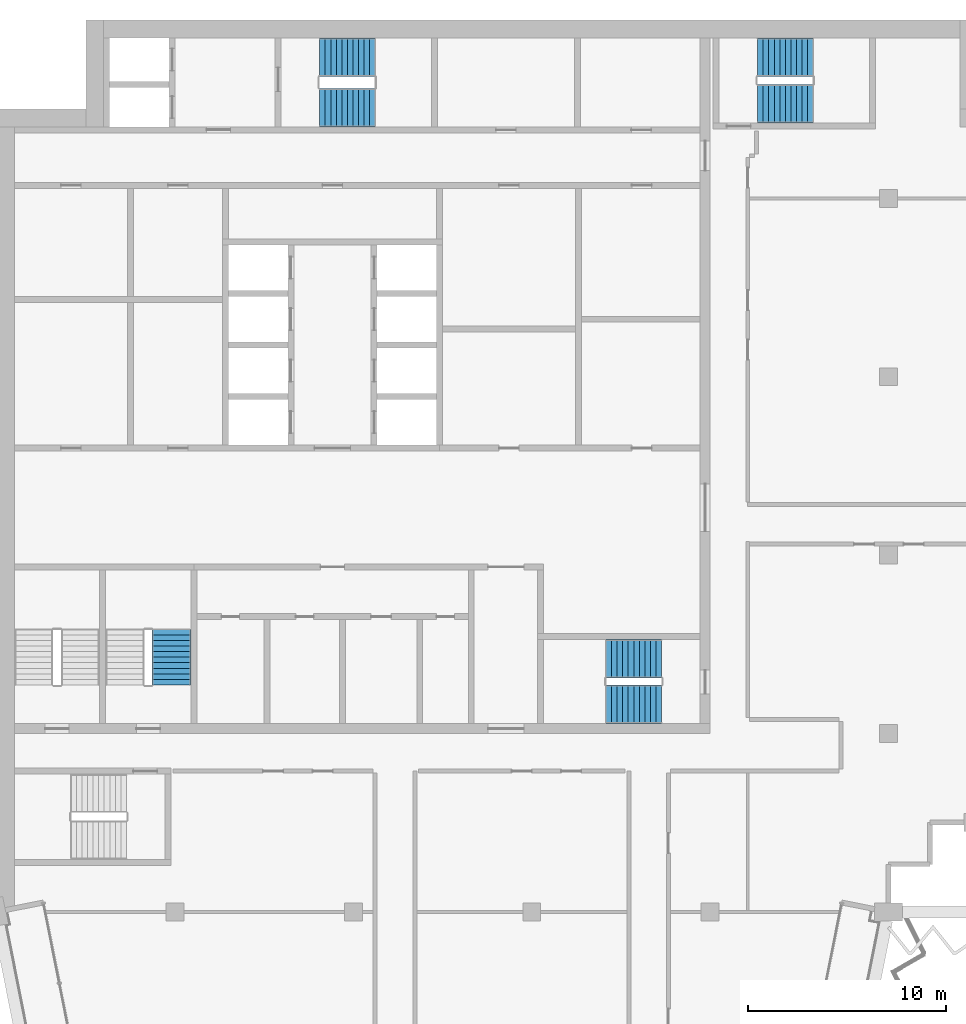
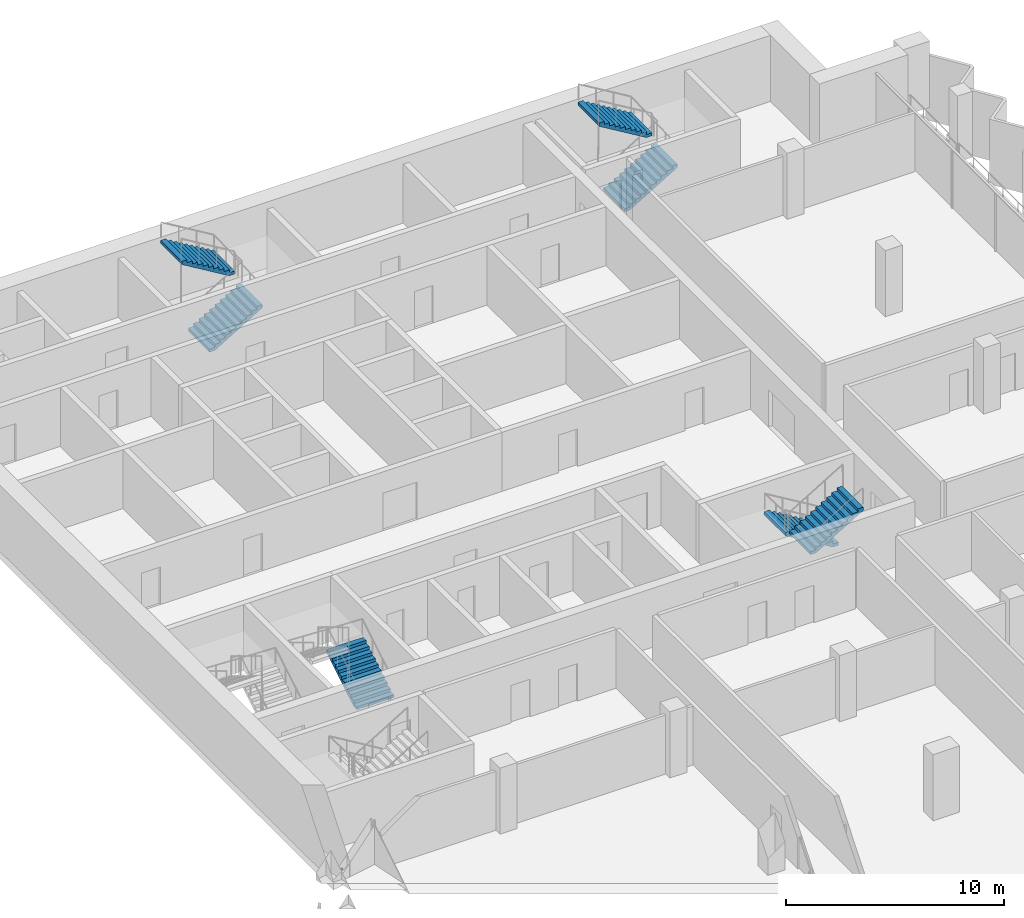
# One storey, part 11 of 14: 7 stair flights, 4 elements without a shape of their own.
"""IFC4 building model written with IfcOpenShell, lengths in metres."""

from ifc_helpers import new_model, si_unit, direction, frame, origin, place, context, subcontext, project, spatial, polyline, outline, extrude, material, type_object, element, aggregate, save


model = new_model("IFC4")

# Units and contexts
model_context = context("Model", 3, precision=1e-05, world=origin(), true_north=direction((0.0, 1.0)))
body_context = subcontext(model_context, "Body", "Model", "MODEL_VIEW")
ifc_project = project(units=[si_unit("LENGTHUNIT", "METRE"), si_unit("AREAUNIT", "SQUARE_METRE"), si_unit("VOLUMEUNIT", "CUBIC_METRE"), si_unit("PLANEANGLEUNIT", "RADIAN"), si_unit("MASSUNIT", "GRAM", prefix="KILO")], contexts=[model_context])

# Site, building, storey
site_placement = place(None, origin())
site = spatial("IfcSite", under=ifc_project, at=site_placement, CompositionType="ELEMENT")
building_placement = place(site_placement, origin())
building = spatial("IfcBuilding", under=site, at=building_placement, Name="Hunhe Ridgeline Campus", CompositionType="ELEMENT")
storey_placement = place(building_placement, frame((0.0, 0.0, 295.60009765625)))
storey = spatial("IfcBuildingStorey", under=building, at=storey_placement, Name="L76", CompositionType="ELEMENT", Elevation=295.60009765625)

# Stair, stair flights
ifc_material = material(Name="Concrete C40", Category="concrete")
stair_type = type_object("IfcStairType", Name="Reinforced concrete dog-leg stair 1950 Concrete C40", PredefinedType="HALF_TURN_STAIR", material=ifc_material)
stair_1_placement = place(storey_placement, origin())
stair_1 = element("IfcStair", 1, at=stair_1_placement, inside=storey, type_object=stair_type, Name="L76 S1", PredefinedType="HALF_TURN_STAIR")
stair_flight_type = type_object("IfcStairFlightType", Name="Reinforced concrete stair flight 1950 Concrete C40", PredefinedType="STRAIGHT", material=ifc_material)
stair_flight_1_placement = place(storey_placement, frame((16.300048828125, 94.574951171875, 0.0), z_axis=(0.0, 0.0, 1.0), x_axis=(1.0, 0.0, 0.0)))
stair_flight_1 = element("IfcStairFlight", 2, at=stair_flight_1_placement, type_object=stair_flight_type, Name="ST1 flight 1", NumberOfRisers=11, NumberOfTreads=10, PredefinedType="STRAIGHT", RiserHeight=0.168181818, TreadLength=0.28, context=body_context, shape_type="SweptSolid", body=[
    extrude(outline(polyline([(0.0, 0.0), (0.0, 0.168212890625), (0.280029296875, 0.168212890625), (0.280029296875, 0.33642578125), (0.56005859375, 0.33642578125), (0.56005859375, 0.504638671875), (0.840087890625, 0.504638671875), (0.840087890625, 0.672607421875), (1.1201171875, 0.672607421875), (1.1201171875, 0.8408203125), (1.39990234375, 0.8408203125), (1.39990234375, 1.009033203125), (1.679931640625, 1.009033203125), (1.679931640625, 1.17724609375), (1.9599609375, 1.17724609375), (1.9599609375, 1.345458984375), (2.239990234375, 1.345458984375), (2.239990234375, 1.513671875), (2.52001953125, 1.513671875), (2.52001953125, 1.681884765625), (2.800048828125, 1.681884765625), (2.800048828125, 1.85009765625), (2.800048828125, 1.5068359375), (0.291015625, 0.0), (0.0, 0.0)])), frame((0.0, 0.97509765625, 0.0), z_axis=(0.0, -1.0, 0.0), x_axis=(1.0, 0.0, 0.0)), (0.0, 0.0, 1.0), 1.949951171875),
    extrude(outline(polyline([(0.030029296875, 0.030029296875), (0.030029296875, 0.13818359375), (0.31005859375, 0.13818359375), (0.31005859375, 0.306396484375), (0.590087890625, 0.306396484375), (0.590087890625, 0.474609375), (0.8701171875, 0.474609375), (0.8701171875, 0.642578125), (1.14990234375, 0.642578125), (1.14990234375, 0.810791015625), (1.429931640625, 0.810791015625), (1.429931640625, 0.97900390625), (1.7099609375, 0.97900390625), (1.7099609375, 1.147216796875), (1.989990234375, 1.147216796875), (1.989990234375, 1.3154296875), (2.27001953125, 1.3154296875), (2.27001953125, 1.483642578125), (2.550048828125, 1.483642578125), (2.550048828125, 1.65185546875), (2.77001953125, 1.65185546875), (2.77001953125, 1.52392578125), (0.28271484375, 0.030029296875), (0.030029296875, 0.030029296875)])), frame((0.0, -0.070068359375, 0.0), z_axis=(0.0, -1.0, 0.0), x_axis=(1.0, 0.0, 0.0)), (0.0, 0.0, 1.0), 0.019775390625),
    extrude(outline(polyline([(0.030029296875, 0.030029296875), (0.030029296875, 0.13818359375), (0.31005859375, 0.13818359375), (0.31005859375, 0.306396484375), (0.590087890625, 0.306396484375), (0.590087890625, 0.474609375), (0.8701171875, 0.474609375), (0.8701171875, 0.642578125), (1.14990234375, 0.642578125), (1.14990234375, 0.810791015625), (1.429931640625, 0.810791015625), (1.429931640625, 0.97900390625), (1.7099609375, 0.97900390625), (1.7099609375, 1.147216796875), (1.989990234375, 1.147216796875), (1.989990234375, 1.3154296875), (2.27001953125, 1.3154296875), (2.27001953125, 1.483642578125), (2.550048828125, 1.483642578125), (2.550048828125, 1.65185546875), (2.77001953125, 1.65185546875), (2.77001953125, 1.52392578125), (0.28271484375, 0.030029296875), (0.030029296875, 0.030029296875)])), frame((0.0, 0.010009765625, 0.0), z_axis=(0.0, -1.0, 0.0), x_axis=(1.0, 0.0, 0.0)), (0.0, 0.0, 1.0), 0.019775390625),
    extrude(outline(polyline([(0.030029296875, 0.030029296875), (0.030029296875, 0.13818359375), (0.31005859375, 0.13818359375), (0.31005859375, 0.306396484375), (0.590087890625, 0.306396484375), (0.590087890625, 0.474609375), (0.8701171875, 0.474609375), (0.8701171875, 0.642578125), (1.14990234375, 0.642578125), (1.14990234375, 0.810791015625), (1.429931640625, 0.810791015625), (1.429931640625, 0.97900390625), (1.7099609375, 0.97900390625), (1.7099609375, 1.147216796875), (1.989990234375, 1.147216796875), (1.989990234375, 1.3154296875), (2.27001953125, 1.3154296875), (2.27001953125, 1.483642578125), (2.550048828125, 1.483642578125), (2.550048828125, 1.65185546875), (2.77001953125, 1.65185546875), (2.77001953125, 1.52392578125), (0.28271484375, 0.030029296875), (0.030029296875, 0.030029296875)])), frame((0.0, 0.090087890625, 0.0), z_axis=(0.0, -1.0, 0.0), x_axis=(1.0, 0.0, 0.0)), (0.0, 0.0, 1.0), 0.019775390625),
])
stair_flight_2_placement = place(storey_placement, frame((19.10009765625, 97.125, 1.849853515625), z_axis=(0.0, 0.0, 1.0), x_axis=(-1.0, 0.0, 0.0)))
stair_flight_2 = element("IfcStairFlight", 3, at=stair_flight_2_placement, type_object=stair_flight_type, Name="ST1 flight 2", NumberOfRisers=11, NumberOfTreads=10, PredefinedType="STRAIGHT", RiserHeight=0.168181818, TreadLength=0.28, context=body_context, shape_type="SweptSolid", body=[
    extrude(outline(polyline([(0.0, 0.0), (0.0, 0.168212890625), (0.280029296875, 0.168212890625), (0.280029296875, 0.33642578125), (0.56005859375, 0.33642578125), (0.56005859375, 0.504638671875), (0.840087890625, 0.504638671875), (0.840087890625, 0.672607421875), (1.1201171875, 0.672607421875), (1.1201171875, 0.8408203125), (1.39990234375, 0.8408203125), (1.39990234375, 1.009033203125), (1.679931640625, 1.009033203125), (1.679931640625, 1.17724609375), (1.9599609375, 1.17724609375), (1.9599609375, 1.345458984375), (2.239990234375, 1.345458984375), (2.239990234375, 1.513671875), (2.52001953125, 1.513671875), (2.52001953125, 1.681884765625), (2.800048828125, 1.681884765625), (2.800048828125, 1.85009765625), (2.800048828125, 1.5068359375), (0.291015625, 0.0), (0.0, 0.0)])), frame((0.0, 0.97509765625, 0.0), z_axis=(0.0, -1.0, 0.0), x_axis=(1.0, 0.0, 0.0)), (0.0, 0.0, 1.0), 1.949951171875),
    extrude(outline(polyline([(0.030029296875, 0.030029296875), (0.030029296875, 0.13818359375), (0.31005859375, 0.13818359375), (0.31005859375, 0.306396484375), (0.590087890625, 0.306396484375), (0.590087890625, 0.474609375), (0.8701171875, 0.474609375), (0.8701171875, 0.642578125), (1.14990234375, 0.642578125), (1.14990234375, 0.810791015625), (1.429931640625, 0.810791015625), (1.429931640625, 0.97900390625), (1.7099609375, 0.97900390625), (1.7099609375, 1.147216796875), (1.989990234375, 1.147216796875), (1.989990234375, 1.3154296875), (2.27001953125, 1.3154296875), (2.27001953125, 1.483642578125), (2.550048828125, 1.483642578125), (2.550048828125, 1.65185546875), (2.77001953125, 1.65185546875), (2.77001953125, 1.52392578125), (0.28271484375, 0.030029296875), (0.030029296875, 0.030029296875)])), frame((0.0, -0.070068359375, 0.0), z_axis=(0.0, -1.0, 0.0), x_axis=(1.0, 0.0, 0.0)), (0.0, 0.0, 1.0), 0.019775390625),
    extrude(outline(polyline([(0.030029296875, 0.030029296875), (0.030029296875, 0.13818359375), (0.31005859375, 0.13818359375), (0.31005859375, 0.306396484375), (0.590087890625, 0.306396484375), (0.590087890625, 0.474609375), (0.8701171875, 0.474609375), (0.8701171875, 0.642578125), (1.14990234375, 0.642578125), (1.14990234375, 0.810791015625), (1.429931640625, 0.810791015625), (1.429931640625, 0.97900390625), (1.7099609375, 0.97900390625), (1.7099609375, 1.147216796875), (1.989990234375, 1.147216796875), (1.989990234375, 1.3154296875), (2.27001953125, 1.3154296875), (2.27001953125, 1.483642578125), (2.550048828125, 1.483642578125), (2.550048828125, 1.65185546875), (2.77001953125, 1.65185546875), (2.77001953125, 1.52392578125), (0.28271484375, 0.030029296875), (0.030029296875, 0.030029296875)])), frame((0.0, 0.010009765625, 0.0), z_axis=(0.0, -1.0, 0.0), x_axis=(1.0, 0.0, 0.0)), (0.0, 0.0, 1.0), 0.019775390625),
    extrude(outline(polyline([(0.030029296875, 0.030029296875), (0.030029296875, 0.13818359375), (0.31005859375, 0.13818359375), (0.31005859375, 0.306396484375), (0.590087890625, 0.306396484375), (0.590087890625, 0.474609375), (0.8701171875, 0.474609375), (0.8701171875, 0.642578125), (1.14990234375, 0.642578125), (1.14990234375, 0.810791015625), (1.429931640625, 0.810791015625), (1.429931640625, 0.97900390625), (1.7099609375, 0.97900390625), (1.7099609375, 1.147216796875), (1.989990234375, 1.147216796875), (1.989990234375, 1.3154296875), (2.27001953125, 1.3154296875), (2.27001953125, 1.483642578125), (2.550048828125, 1.483642578125), (2.550048828125, 1.65185546875), (2.77001953125, 1.65185546875), (2.77001953125, 1.52392578125), (0.28271484375, 0.030029296875), (0.030029296875, 0.030029296875)])), frame((0.0, 0.090087890625, 0.0), z_axis=(0.0, -1.0, 0.0), x_axis=(1.0, 0.0, 0.0)), (0.0, 0.0, 1.0), 0.019775390625),
])
aggregate(stair_1, [stair_flight_1, stair_flight_2])

stair_2_placement = place(storey_placement, origin())
stair_2 = element("IfcStair", 4, at=stair_2_placement, inside=storey, type_object=stair_type, Name="L76 S2", PredefinedType="HALF_TURN_STAIR")
stair_flight_3_placement = place(storey_placement, frame((33.550048828125, 66.77490234375, 0.0), z_axis=(0.0, 0.0, 1.0), x_axis=(-1.0, 0.0, 0.0)))
stair_flight_3 = element("IfcStairFlight", 5, at=stair_flight_3_placement, type_object=stair_flight_type, Name="ST2 flight 1", NumberOfRisers=11, NumberOfTreads=10, PredefinedType="STRAIGHT", RiserHeight=0.168181818, TreadLength=0.28, context=body_context, shape_type="SweptSolid", body=[
    extrude(outline(polyline([(0.0, 0.0), (0.0, 0.168212890625), (0.280029296875, 0.168212890625), (0.280029296875, 0.33642578125), (0.56005859375, 0.33642578125), (0.56005859375, 0.504638671875), (0.840087890625, 0.504638671875), (0.840087890625, 0.672607421875), (1.1201171875, 0.672607421875), (1.1201171875, 0.8408203125), (1.39990234375, 0.8408203125), (1.39990234375, 1.009033203125), (1.679931640625, 1.009033203125), (1.679931640625, 1.17724609375), (1.9599609375, 1.17724609375), (1.9599609375, 1.345458984375), (2.239990234375, 1.345458984375), (2.239990234375, 1.513671875), (2.52001953125, 1.513671875), (2.52001953125, 1.681884765625), (2.800048828125, 1.681884765625), (2.800048828125, 1.85009765625), (2.800048828125, 1.5068359375), (0.291015625, 0.0), (0.0, 0.0)])), frame((0.0, 0.97509765625, 0.0), z_axis=(0.0, -1.0, 0.0), x_axis=(1.0, 0.0, 0.0)), (0.0, 0.0, 1.0), 1.949951171875),
    extrude(outline(polyline([(0.030029296875, 0.030029296875), (0.030029296875, 0.13818359375), (0.31005859375, 0.13818359375), (0.31005859375, 0.306396484375), (0.590087890625, 0.306396484375), (0.590087890625, 0.474609375), (0.8701171875, 0.474609375), (0.8701171875, 0.642578125), (1.14990234375, 0.642578125), (1.14990234375, 0.810791015625), (1.429931640625, 0.810791015625), (1.429931640625, 0.97900390625), (1.7099609375, 0.97900390625), (1.7099609375, 1.147216796875), (1.989990234375, 1.147216796875), (1.989990234375, 1.3154296875), (2.27001953125, 1.3154296875), (2.27001953125, 1.483642578125), (2.550048828125, 1.483642578125), (2.550048828125, 1.65185546875), (2.77001953125, 1.65185546875), (2.77001953125, 1.52392578125), (0.28271484375, 0.030029296875), (0.030029296875, 0.030029296875)])), frame((0.0, -0.070068359375, 0.0), z_axis=(0.0, -1.0, 0.0), x_axis=(1.0, 0.0, 0.0)), (0.0, 0.0, 1.0), 0.019775390625),
    extrude(outline(polyline([(0.030029296875, 0.030029296875), (0.030029296875, 0.13818359375), (0.31005859375, 0.13818359375), (0.31005859375, 0.306396484375), (0.590087890625, 0.306396484375), (0.590087890625, 0.474609375), (0.8701171875, 0.474609375), (0.8701171875, 0.642578125), (1.14990234375, 0.642578125), (1.14990234375, 0.810791015625), (1.429931640625, 0.810791015625), (1.429931640625, 0.97900390625), (1.7099609375, 0.97900390625), (1.7099609375, 1.147216796875), (1.989990234375, 1.147216796875), (1.989990234375, 1.3154296875), (2.27001953125, 1.3154296875), (2.27001953125, 1.483642578125), (2.550048828125, 1.483642578125), (2.550048828125, 1.65185546875), (2.77001953125, 1.65185546875), (2.77001953125, 1.52392578125), (0.28271484375, 0.030029296875), (0.030029296875, 0.030029296875)])), frame((0.0, 0.010009765625, 0.0), z_axis=(0.0, -1.0, 0.0), x_axis=(1.0, 0.0, 0.0)), (0.0, 0.0, 1.0), 0.019775390625),
    extrude(outline(polyline([(0.030029296875, 0.030029296875), (0.030029296875, 0.13818359375), (0.31005859375, 0.13818359375), (0.31005859375, 0.306396484375), (0.590087890625, 0.306396484375), (0.590087890625, 0.474609375), (0.8701171875, 0.474609375), (0.8701171875, 0.642578125), (1.14990234375, 0.642578125), (1.14990234375, 0.810791015625), (1.429931640625, 0.810791015625), (1.429931640625, 0.97900390625), (1.7099609375, 0.97900390625), (1.7099609375, 1.147216796875), (1.989990234375, 1.147216796875), (1.989990234375, 1.3154296875), (2.27001953125, 1.3154296875), (2.27001953125, 1.483642578125), (2.550048828125, 1.483642578125), (2.550048828125, 1.65185546875), (2.77001953125, 1.65185546875), (2.77001953125, 1.52392578125), (0.28271484375, 0.030029296875), (0.030029296875, 0.030029296875)])), frame((0.0, 0.090087890625, 0.0), z_axis=(0.0, -1.0, 0.0), x_axis=(1.0, 0.0, 0.0)), (0.0, 0.0, 1.0), 0.019775390625),
])
stair_flight_4_placement = place(storey_placement, frame((30.75, 64.47509765625, 1.849853515625), z_axis=(0.0, 0.0, 1.0), x_axis=(1.0, 0.0, 0.0)))
stair_flight_4 = element("IfcStairFlight", 6, at=stair_flight_4_placement, type_object=stair_flight_type, Name="ST2 flight 2", NumberOfRisers=11, NumberOfTreads=10, PredefinedType="STRAIGHT", RiserHeight=0.168181818, TreadLength=0.28, context=body_context, shape_type="SweptSolid", body=[
    extrude(outline(polyline([(0.0, 0.0), (0.0, 0.168212890625), (0.280029296875, 0.168212890625), (0.280029296875, 0.33642578125), (0.56005859375, 0.33642578125), (0.56005859375, 0.504638671875), (0.840087890625, 0.504638671875), (0.840087890625, 0.672607421875), (1.1201171875, 0.672607421875), (1.1201171875, 0.8408203125), (1.39990234375, 0.8408203125), (1.39990234375, 1.009033203125), (1.679931640625, 1.009033203125), (1.679931640625, 1.17724609375), (1.9599609375, 1.17724609375), (1.9599609375, 1.345458984375), (2.239990234375, 1.345458984375), (2.239990234375, 1.513671875), (2.52001953125, 1.513671875), (2.52001953125, 1.681884765625), (2.800048828125, 1.681884765625), (2.800048828125, 1.85009765625), (2.800048828125, 1.5068359375), (0.291015625, 0.0), (0.0, 0.0)])), frame((0.0, 0.97509765625, 0.0), z_axis=(0.0, -1.0, 0.0), x_axis=(1.0, 0.0, 0.0)), (0.0, 0.0, 1.0), 1.949951171875),
    extrude(outline(polyline([(0.030029296875, 0.030029296875), (0.030029296875, 0.13818359375), (0.31005859375, 0.13818359375), (0.31005859375, 0.306396484375), (0.590087890625, 0.306396484375), (0.590087890625, 0.474609375), (0.8701171875, 0.474609375), (0.8701171875, 0.642578125), (1.14990234375, 0.642578125), (1.14990234375, 0.810791015625), (1.429931640625, 0.810791015625), (1.429931640625, 0.97900390625), (1.7099609375, 0.97900390625), (1.7099609375, 1.147216796875), (1.989990234375, 1.147216796875), (1.989990234375, 1.3154296875), (2.27001953125, 1.3154296875), (2.27001953125, 1.483642578125), (2.550048828125, 1.483642578125), (2.550048828125, 1.65185546875), (2.77001953125, 1.65185546875), (2.77001953125, 1.52392578125), (0.28271484375, 0.030029296875), (0.030029296875, 0.030029296875)])), frame((0.0, -0.070068359375, 0.0), z_axis=(0.0, -1.0, 0.0), x_axis=(1.0, 0.0, 0.0)), (0.0, 0.0, 1.0), 0.019775390625),
    extrude(outline(polyline([(0.030029296875, 0.030029296875), (0.030029296875, 0.13818359375), (0.31005859375, 0.13818359375), (0.31005859375, 0.306396484375), (0.590087890625, 0.306396484375), (0.590087890625, 0.474609375), (0.8701171875, 0.474609375), (0.8701171875, 0.642578125), (1.14990234375, 0.642578125), (1.14990234375, 0.810791015625), (1.429931640625, 0.810791015625), (1.429931640625, 0.97900390625), (1.7099609375, 0.97900390625), (1.7099609375, 1.147216796875), (1.989990234375, 1.147216796875), (1.989990234375, 1.3154296875), (2.27001953125, 1.3154296875), (2.27001953125, 1.483642578125), (2.550048828125, 1.483642578125), (2.550048828125, 1.65185546875), (2.77001953125, 1.65185546875), (2.77001953125, 1.52392578125), (0.28271484375, 0.030029296875), (0.030029296875, 0.030029296875)])), frame((0.0, 0.010009765625, 0.0), z_axis=(0.0, -1.0, 0.0), x_axis=(1.0, 0.0, 0.0)), (0.0, 0.0, 1.0), 0.019775390625),
    extrude(outline(polyline([(0.030029296875, 0.030029296875), (0.030029296875, 0.13818359375), (0.31005859375, 0.13818359375), (0.31005859375, 0.306396484375), (0.590087890625, 0.306396484375), (0.590087890625, 0.474609375), (0.8701171875, 0.474609375), (0.8701171875, 0.642578125), (1.14990234375, 0.642578125), (1.14990234375, 0.810791015625), (1.429931640625, 0.810791015625), (1.429931640625, 0.97900390625), (1.7099609375, 0.97900390625), (1.7099609375, 1.147216796875), (1.989990234375, 1.147216796875), (1.989990234375, 1.3154296875), (2.27001953125, 1.3154296875), (2.27001953125, 1.483642578125), (2.550048828125, 1.483642578125), (2.550048828125, 1.65185546875), (2.77001953125, 1.65185546875), (2.77001953125, 1.52392578125), (0.28271484375, 0.030029296875), (0.030029296875, 0.030029296875)])), frame((0.0, 0.090087890625, 0.0), z_axis=(0.0, -1.0, 0.0), x_axis=(1.0, 0.0, 0.0)), (0.0, 0.0, 1.0), 0.019775390625),
])
aggregate(stair_2, [stair_flight_3, stair_flight_4])

# Stair, stair flight
stair_3_placement = place(storey_placement, origin())
stair_3 = element("IfcStair", 7, at=stair_3_placement, inside=storey, type_object=stair_type, Name="L76 S4", PredefinedType="HALF_TURN_STAIR")
stair_flight_5_placement = place(storey_placement, frame((8.824951171875, 65.449951171875, 0.0), z_axis=(0.0, 0.0, 1.0), x_axis=(0.0, 1.0, 0.0)))
stair_flight_5 = element("IfcStairFlight", 8, at=stair_flight_5_placement, type_object=stair_flight_type, Name="ST4 flight 1", NumberOfRisers=11, NumberOfTreads=10, PredefinedType="STRAIGHT", RiserHeight=0.168181818, TreadLength=0.28, context=body_context, shape_type="SweptSolid", body=[
    extrude(outline(polyline([(0.0, 0.0), (0.0, 0.168212890625), (0.280029296875, 0.168212890625), (0.280029296875, 0.33642578125), (0.56005859375, 0.33642578125), (0.56005859375, 0.504638671875), (0.840087890625, 0.504638671875), (0.840087890625, 0.672607421875), (1.1201171875, 0.672607421875), (1.1201171875, 0.8408203125), (1.39990234375, 0.8408203125), (1.39990234375, 1.009033203125), (1.679931640625, 1.009033203125), (1.679931640625, 1.17724609375), (1.9599609375, 1.17724609375), (1.9599609375, 1.345458984375), (2.239990234375, 1.345458984375), (2.239990234375, 1.513671875), (2.52001953125, 1.513671875), (2.52001953125, 1.681884765625), (2.800048828125, 1.681884765625), (2.800048828125, 1.85009765625), (2.800048828125, 1.5068359375), (0.291015625, 0.0), (0.0, 0.0)])), frame((0.0, 0.97509765625, 0.0), z_axis=(0.0, -1.0, 0.0), x_axis=(1.0, 0.0, 0.0)), (0.0, 0.0, 1.0), 1.949951171875),
    extrude(outline(polyline([(0.030029296875, 0.030029296875), (0.030029296875, 0.13818359375), (0.31005859375, 0.13818359375), (0.31005859375, 0.306396484375), (0.590087890625, 0.306396484375), (0.590087890625, 0.474609375), (0.8701171875, 0.474609375), (0.8701171875, 0.642578125), (1.14990234375, 0.642578125), (1.14990234375, 0.810791015625), (1.429931640625, 0.810791015625), (1.429931640625, 0.97900390625), (1.7099609375, 0.97900390625), (1.7099609375, 1.147216796875), (1.989990234375, 1.147216796875), (1.989990234375, 1.3154296875), (2.27001953125, 1.3154296875), (2.27001953125, 1.483642578125), (2.550048828125, 1.483642578125), (2.550048828125, 1.65185546875), (2.77001953125, 1.65185546875), (2.77001953125, 1.52392578125), (0.28271484375, 0.030029296875), (0.030029296875, 0.030029296875)])), frame((0.0, -0.070068359375, 0.0), z_axis=(0.0, -1.0, 0.0), x_axis=(1.0, 0.0, 0.0)), (0.0, 0.0, 1.0), 0.019775390625),
    extrude(outline(polyline([(0.030029296875, 0.030029296875), (0.030029296875, 0.13818359375), (0.31005859375, 0.13818359375), (0.31005859375, 0.306396484375), (0.590087890625, 0.306396484375), (0.590087890625, 0.474609375), (0.8701171875, 0.474609375), (0.8701171875, 0.642578125), (1.14990234375, 0.642578125), (1.14990234375, 0.810791015625), (1.429931640625, 0.810791015625), (1.429931640625, 0.97900390625), (1.7099609375, 0.97900390625), (1.7099609375, 1.147216796875), (1.989990234375, 1.147216796875), (1.989990234375, 1.3154296875), (2.27001953125, 1.3154296875), (2.27001953125, 1.483642578125), (2.550048828125, 1.483642578125), (2.550048828125, 1.65185546875), (2.77001953125, 1.65185546875), (2.77001953125, 1.52392578125), (0.28271484375, 0.030029296875), (0.030029296875, 0.030029296875)])), frame((0.0, 0.010009765625, 0.0), z_axis=(0.0, -1.0, 0.0), x_axis=(1.0, 0.0, 0.0)), (0.0, 0.0, 1.0), 0.019775390625),
    extrude(outline(polyline([(0.030029296875, 0.030029296875), (0.030029296875, 0.13818359375), (0.31005859375, 0.13818359375), (0.31005859375, 0.306396484375), (0.590087890625, 0.306396484375), (0.590087890625, 0.474609375), (0.8701171875, 0.474609375), (0.8701171875, 0.642578125), (1.14990234375, 0.642578125), (1.14990234375, 0.810791015625), (1.429931640625, 0.810791015625), (1.429931640625, 0.97900390625), (1.7099609375, 0.97900390625), (1.7099609375, 1.147216796875), (1.989990234375, 1.147216796875), (1.989990234375, 1.3154296875), (2.27001953125, 1.3154296875), (2.27001953125, 1.483642578125), (2.550048828125, 1.483642578125), (2.550048828125, 1.65185546875), (2.77001953125, 1.65185546875), (2.77001953125, 1.52392578125), (0.28271484375, 0.030029296875), (0.030029296875, 0.030029296875)])), frame((0.0, 0.090087890625, 0.0), z_axis=(0.0, -1.0, 0.0), x_axis=(1.0, 0.0, 0.0)), (0.0, 0.0, 1.0), 0.019775390625),
])
aggregate(stair_3, [stair_flight_5])

# Stair, stair flights
stair_4_placement = place(storey_placement, origin())
stair_4 = element("IfcStair", 9, at=stair_4_placement, inside=storey, type_object=stair_type, Name="L76 E1", PredefinedType="HALF_TURN_STAIR")
stair_flight_6_placement = place(storey_placement, frame((38.39990234375, 94.77490234375, 0.0), z_axis=(0.0, 0.0, 1.0), x_axis=(1.0, 0.0, 0.0)))
stair_flight_6 = element("IfcStairFlight", 10, at=stair_flight_6_placement, type_object=stair_flight_type, Name="ST5 flight 1", NumberOfRisers=11, NumberOfTreads=10, PredefinedType="STRAIGHT", RiserHeight=0.168181818, TreadLength=0.28, context=body_context, shape_type="SweptSolid", body=[
    extrude(outline(polyline([(0.0, 0.0), (0.0, 0.168212890625), (0.280029296875, 0.168212890625), (0.280029296875, 0.33642578125), (0.56005859375, 0.33642578125), (0.56005859375, 0.504638671875), (0.840087890625, 0.504638671875), (0.840087890625, 0.672607421875), (1.1201171875, 0.672607421875), (1.1201171875, 0.8408203125), (1.39990234375, 0.8408203125), (1.39990234375, 1.009033203125), (1.679931640625, 1.009033203125), (1.679931640625, 1.17724609375), (1.9599609375, 1.17724609375), (1.9599609375, 1.345458984375), (2.239990234375, 1.345458984375), (2.239990234375, 1.513671875), (2.52001953125, 1.513671875), (2.52001953125, 1.681884765625), (2.800048828125, 1.681884765625), (2.800048828125, 1.85009765625), (2.800048828125, 1.5068359375), (0.291015625, 0.0), (0.0, 0.0)])), frame((0.0, 0.97509765625, 0.0), z_axis=(0.0, -1.0, 0.0), x_axis=(1.0, 0.0, 0.0)), (0.0, 0.0, 1.0), 1.949951171875),
    extrude(outline(polyline([(0.030029296875, 0.030029296875), (0.030029296875, 0.13818359375), (0.31005859375, 0.13818359375), (0.31005859375, 0.306396484375), (0.590087890625, 0.306396484375), (0.590087890625, 0.474609375), (0.8701171875, 0.474609375), (0.8701171875, 0.642578125), (1.14990234375, 0.642578125), (1.14990234375, 0.810791015625), (1.429931640625, 0.810791015625), (1.429931640625, 0.97900390625), (1.7099609375, 0.97900390625), (1.7099609375, 1.147216796875), (1.989990234375, 1.147216796875), (1.989990234375, 1.3154296875), (2.27001953125, 1.3154296875), (2.27001953125, 1.483642578125), (2.550048828125, 1.483642578125), (2.550048828125, 1.65185546875), (2.77001953125, 1.65185546875), (2.77001953125, 1.52392578125), (0.28271484375, 0.030029296875), (0.030029296875, 0.030029296875)])), frame((0.0, -0.070068359375, 0.0), z_axis=(0.0, -1.0, 0.0), x_axis=(1.0, 0.0, 0.0)), (0.0, 0.0, 1.0), 0.019775390625),
    extrude(outline(polyline([(0.030029296875, 0.030029296875), (0.030029296875, 0.13818359375), (0.31005859375, 0.13818359375), (0.31005859375, 0.306396484375), (0.590087890625, 0.306396484375), (0.590087890625, 0.474609375), (0.8701171875, 0.474609375), (0.8701171875, 0.642578125), (1.14990234375, 0.642578125), (1.14990234375, 0.810791015625), (1.429931640625, 0.810791015625), (1.429931640625, 0.97900390625), (1.7099609375, 0.97900390625), (1.7099609375, 1.147216796875), (1.989990234375, 1.147216796875), (1.989990234375, 1.3154296875), (2.27001953125, 1.3154296875), (2.27001953125, 1.483642578125), (2.550048828125, 1.483642578125), (2.550048828125, 1.65185546875), (2.77001953125, 1.65185546875), (2.77001953125, 1.52392578125), (0.28271484375, 0.030029296875), (0.030029296875, 0.030029296875)])), frame((0.0, 0.010009765625, 0.0), z_axis=(0.0, -1.0, 0.0), x_axis=(1.0, 0.0, 0.0)), (0.0, 0.0, 1.0), 0.019775390625),
    extrude(outline(polyline([(0.030029296875, 0.030029296875), (0.030029296875, 0.13818359375), (0.31005859375, 0.13818359375), (0.31005859375, 0.306396484375), (0.590087890625, 0.306396484375), (0.590087890625, 0.474609375), (0.8701171875, 0.474609375), (0.8701171875, 0.642578125), (1.14990234375, 0.642578125), (1.14990234375, 0.810791015625), (1.429931640625, 0.810791015625), (1.429931640625, 0.97900390625), (1.7099609375, 0.97900390625), (1.7099609375, 1.147216796875), (1.989990234375, 1.147216796875), (1.989990234375, 1.3154296875), (2.27001953125, 1.3154296875), (2.27001953125, 1.483642578125), (2.550048828125, 1.483642578125), (2.550048828125, 1.65185546875), (2.77001953125, 1.65185546875), (2.77001953125, 1.52392578125), (0.28271484375, 0.030029296875), (0.030029296875, 0.030029296875)])), frame((0.0, 0.090087890625, 0.0), z_axis=(0.0, -1.0, 0.0), x_axis=(1.0, 0.0, 0.0)), (0.0, 0.0, 1.0), 0.019775390625),
])
stair_flight_7_placement = place(storey_placement, frame((41.199951171875, 97.125, 1.849853515625), z_axis=(0.0, 0.0, 1.0), x_axis=(-1.0, 0.0, 0.0)))
stair_flight_7 = element("IfcStairFlight", 11, at=stair_flight_7_placement, type_object=stair_flight_type, Name="ST5 flight 2", NumberOfRisers=11, NumberOfTreads=10, PredefinedType="STRAIGHT", RiserHeight=0.168181818, TreadLength=0.28, context=body_context, shape_type="SweptSolid", body=[
    extrude(outline(polyline([(0.0, 0.0), (0.0, 0.168212890625), (0.280029296875, 0.168212890625), (0.280029296875, 0.33642578125), (0.56005859375, 0.33642578125), (0.56005859375, 0.504638671875), (0.840087890625, 0.504638671875), (0.840087890625, 0.672607421875), (1.1201171875, 0.672607421875), (1.1201171875, 0.8408203125), (1.39990234375, 0.8408203125), (1.39990234375, 1.009033203125), (1.679931640625, 1.009033203125), (1.679931640625, 1.17724609375), (1.9599609375, 1.17724609375), (1.9599609375, 1.345458984375), (2.239990234375, 1.345458984375), (2.239990234375, 1.513671875), (2.52001953125, 1.513671875), (2.52001953125, 1.681884765625), (2.800048828125, 1.681884765625), (2.800048828125, 1.85009765625), (2.800048828125, 1.5068359375), (0.291015625, 0.0), (0.0, 0.0)])), frame((0.0, 0.97509765625, 0.0), z_axis=(0.0, -1.0, 0.0), x_axis=(1.0, 0.0, 0.0)), (0.0, 0.0, 1.0), 1.949951171875),
    extrude(outline(polyline([(0.030029296875, 0.030029296875), (0.030029296875, 0.13818359375), (0.31005859375, 0.13818359375), (0.31005859375, 0.306396484375), (0.590087890625, 0.306396484375), (0.590087890625, 0.474609375), (0.8701171875, 0.474609375), (0.8701171875, 0.642578125), (1.14990234375, 0.642578125), (1.14990234375, 0.810791015625), (1.429931640625, 0.810791015625), (1.429931640625, 0.97900390625), (1.7099609375, 0.97900390625), (1.7099609375, 1.147216796875), (1.989990234375, 1.147216796875), (1.989990234375, 1.3154296875), (2.27001953125, 1.3154296875), (2.27001953125, 1.483642578125), (2.550048828125, 1.483642578125), (2.550048828125, 1.65185546875), (2.77001953125, 1.65185546875), (2.77001953125, 1.52392578125), (0.28271484375, 0.030029296875), (0.030029296875, 0.030029296875)])), frame((0.0, -0.070068359375, 0.0), z_axis=(0.0, -1.0, 0.0), x_axis=(1.0, 0.0, 0.0)), (0.0, 0.0, 1.0), 0.019775390625),
    extrude(outline(polyline([(0.030029296875, 0.030029296875), (0.030029296875, 0.13818359375), (0.31005859375, 0.13818359375), (0.31005859375, 0.306396484375), (0.590087890625, 0.306396484375), (0.590087890625, 0.474609375), (0.8701171875, 0.474609375), (0.8701171875, 0.642578125), (1.14990234375, 0.642578125), (1.14990234375, 0.810791015625), (1.429931640625, 0.810791015625), (1.429931640625, 0.97900390625), (1.7099609375, 0.97900390625), (1.7099609375, 1.147216796875), (1.989990234375, 1.147216796875), (1.989990234375, 1.3154296875), (2.27001953125, 1.3154296875), (2.27001953125, 1.483642578125), (2.550048828125, 1.483642578125), (2.550048828125, 1.65185546875), (2.77001953125, 1.65185546875), (2.77001953125, 1.52392578125), (0.28271484375, 0.030029296875), (0.030029296875, 0.030029296875)])), frame((0.0, 0.010009765625, 0.0), z_axis=(0.0, -1.0, 0.0), x_axis=(1.0, 0.0, 0.0)), (0.0, 0.0, 1.0), 0.019775390625),
    extrude(outline(polyline([(0.030029296875, 0.030029296875), (0.030029296875, 0.13818359375), (0.31005859375, 0.13818359375), (0.31005859375, 0.306396484375), (0.590087890625, 0.306396484375), (0.590087890625, 0.474609375), (0.8701171875, 0.474609375), (0.8701171875, 0.642578125), (1.14990234375, 0.642578125), (1.14990234375, 0.810791015625), (1.429931640625, 0.810791015625), (1.429931640625, 0.97900390625), (1.7099609375, 0.97900390625), (1.7099609375, 1.147216796875), (1.989990234375, 1.147216796875), (1.989990234375, 1.3154296875), (2.27001953125, 1.3154296875), (2.27001953125, 1.483642578125), (2.550048828125, 1.483642578125), (2.550048828125, 1.65185546875), (2.77001953125, 1.65185546875), (2.77001953125, 1.52392578125), (0.28271484375, 0.030029296875), (0.030029296875, 0.030029296875)])), frame((0.0, 0.090087890625, 0.0), z_axis=(0.0, -1.0, 0.0), x_axis=(1.0, 0.0, 0.0)), (0.0, 0.0, 1.0), 0.019775390625),
])
aggregate(stair_4, [stair_flight_6, stair_flight_7])

save(model, "model.ifc")
